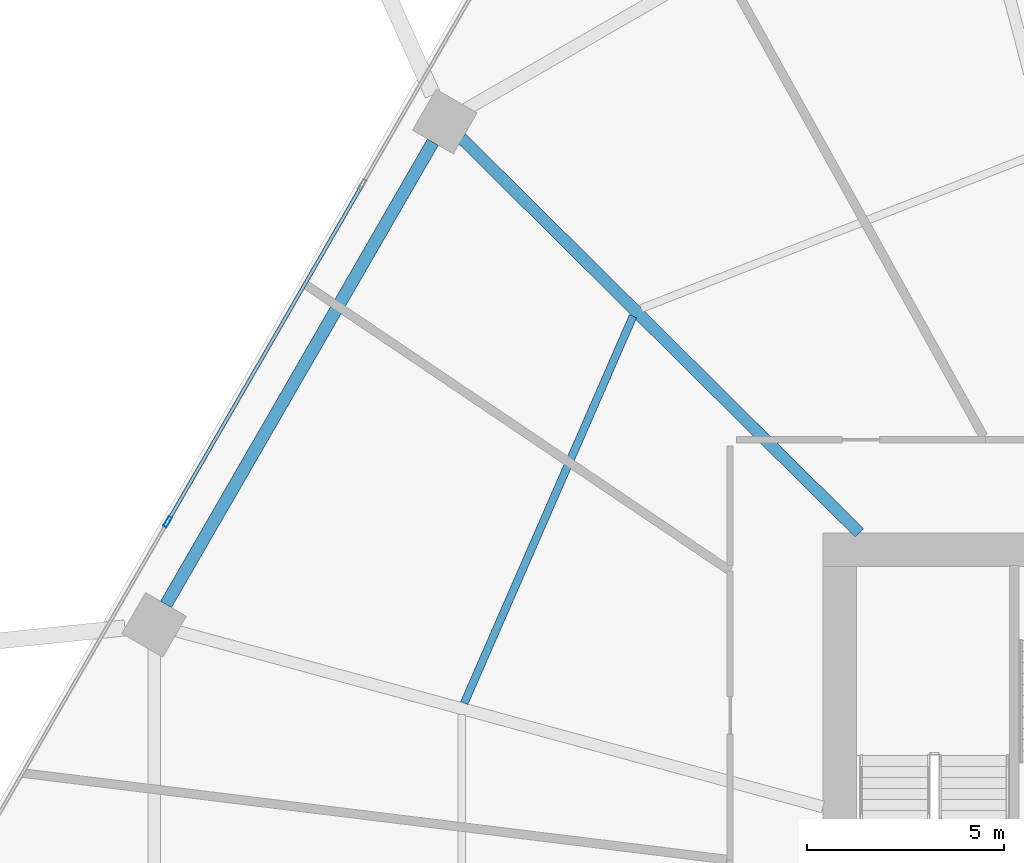
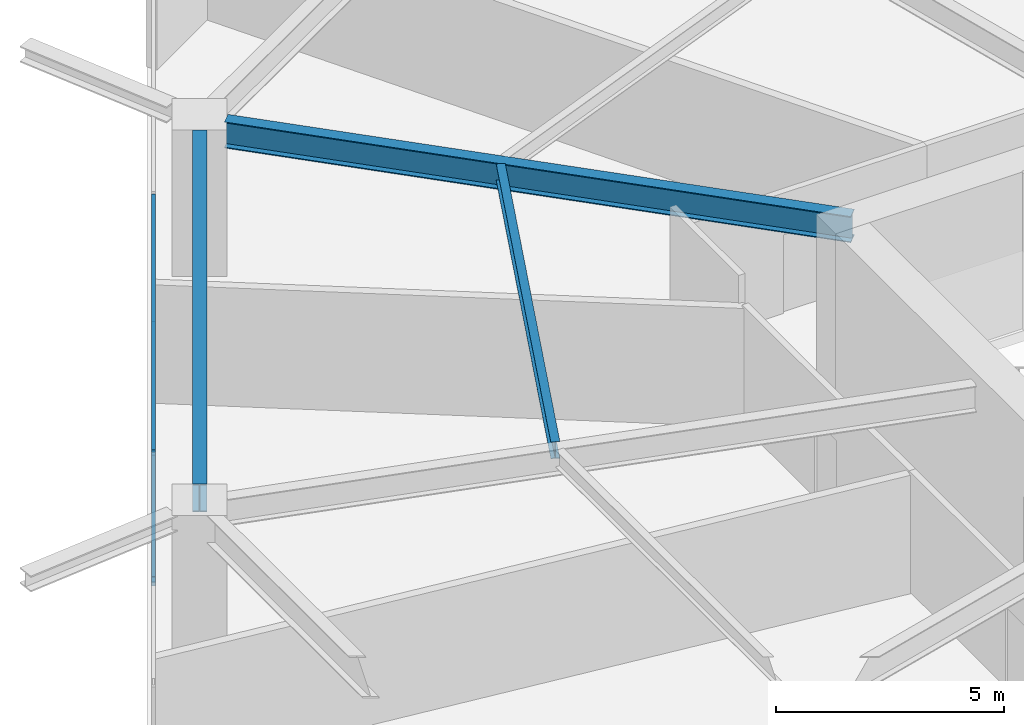
# One storey, part 13 of 25: 3 beams, 3 members, 1 element without a shape of its own.
"""IFC4 building model written with IfcOpenShell, lengths in metres."""

from ifc_helpers import new_model, si_unit, direction, frame, origin, origin_2d, place, context, subcontext, project, spatial, hollow_rectangle, i_section, extrude, material, material_profile, profile_set, type_object, element, aggregate, save


model = new_model("IFC4")

# Units and contexts
model_context = context("Model", 3, precision=1e-05, world=origin(), true_north=direction((0.0, 1.0)))
body_context = subcontext(model_context, "Body", "Model", "MODEL_VIEW")
ifc_project = project(units=[si_unit("LENGTHUNIT", "METRE"), si_unit("AREAUNIT", "SQUARE_METRE"), si_unit("VOLUMEUNIT", "CUBIC_METRE"), si_unit("PLANEANGLEUNIT", "RADIAN"), si_unit("MASSUNIT", "GRAM", prefix="KILO")], contexts=[model_context])

# Site, building, storey
site_placement = place(None, origin())
site = spatial("IfcSite", under=ifc_project, at=site_placement, CompositionType="ELEMENT")
building_placement = place(site_placement, origin())
building = spatial("IfcBuilding", under=site, at=building_placement, Name="Zuhravey Tower", CompositionType="ELEMENT")
storey_placement = place(building_placement, frame((0.0, 0.0, 20.39990234375)))
storey = spatial("IfcBuildingStorey", under=building, at=storey_placement, Name="L05", CompositionType="ELEMENT", Elevation=20.39990234375)

# Curtain wall, members
ifc_material_1 = material(Name="Thermally broken anodised aluminium", Category="aluminium")
curtain_wall_type = type_object("IfcCurtainWallType", Name="School Low-E Unitised Curtain Wall CW1", PredefinedType="NOTDEFINED", material=ifc_material_1)
curtain_wall_placement = place(storey_placement, origin())
curtain_wall = element("IfcCurtainWall", 1, at=curtain_wall_placement, inside=storey, type_object=curtain_wall_type, Name="L05 CW1 CW-L05-F3-1", PredefinedType="NOTDEFINED")
ifc_material_2 = material(Name="Anodised aluminium", Category="aluminium")
ifc_material_profile_1 = material_profile(ifc_material_2, hollow_rectangle(XDim=0.090087890625, YDim=0.284912109375, WallThickness=0.0048828125, at=origin_2d()), Name="ALU-RHS-90x285x5")
ifc_profile_set_1 = profile_set([ifc_material_profile_1], Name="Anodised aluminium")
member_type_1 = type_object("IfcMemberType", Name="Curtain-Wall Mullion 90x180", PredefinedType="MULLION", material=ifc_profile_set_1)
member_1_placement = place(storey_placement, frame((8.45458984375, 42.20703125, 0.0), z_axis=(0.0, 0.0, 1.0), x_axis=(-0.86602552265, 0.499999794119, 0.0)))
member_1 = element("IfcMember", 2, at=member_1_placement, type_object=member_type_1, Name="CW1 mullion 2", PredefinedType="MULLION", context=body_context, shape_type="SweptSolid", body=[
    extrude(hollow_rectangle(XDim=0.090087890625, YDim=0.284912109375, WallThickness=0.0048828125, at=origin_2d()), origin(), (0.0, 0.0, 1.0), 3.4921875),
])
ifc_material_profile_2 = material_profile(ifc_material_2, hollow_rectangle(XDim=0.090087890625, YDim=0.14990234375, WallThickness=0.0048828125, at=origin_2d()), Name="ALU-RHS-90x150x5")
ifc_profile_set_2 = profile_set([ifc_material_profile_2], Name="Anodised aluminium")
member_type_2 = type_object("IfcMemberType", Name="Curtain-Wall Transom 90x150", PredefinedType="USERDEFINED", material=ifc_profile_set_2)
member_2_placement = place(storey_placement, frame((8.47705078125, 42.245849609375, 0.045166015625), z_axis=(0.499990498062, 0.866030889661, 0.0), x_axis=(-0.866030889661, 0.499990498062, 0.0)))
member_2 = element("IfcMember", 3, at=member_2_placement, type_object=member_type_2, Name="CW1 transom 2.1", ObjectType="TRANSOM", PredefinedType="USERDEFINED", context=body_context, shape_type="SweptSolid", body=[
    extrude(hollow_rectangle(XDim=0.090087890625, YDim=0.14990234375, WallThickness=0.0048828125, at=origin_2d()), origin(), (0.0, 0.0, 1.0), 9.776611328125),
])
member_3_placement = place(storey_placement, frame((8.47705078125, 42.245849609375, 3.447021484375), z_axis=(0.499990498062, 0.866030889661, 0.0), x_axis=(-0.866030889661, 0.499990498062, 0.0)))
member_3 = element("IfcMember", 4, at=member_3_placement, type_object=member_type_2, Name="CW1 transom 2.2", ObjectType="TRANSOM", PredefinedType="USERDEFINED", context=body_context, shape_type="SweptSolid", body=[
    extrude(hollow_rectangle(XDim=0.090087890625, YDim=0.14990234375, WallThickness=0.0048828125, at=origin_2d()), origin(), (0.0, 0.0, 1.0), 9.776611328125),
])
aggregate(curtain_wall, [member_1, member_2, member_3])

# Beams
ifc_material_3 = material(Name="Steel SM355", Category="steel")
ifc_material_profile_3 = material_profile(ifc_material_3, i_section(OverallWidth=0.320068359375, OverallDepth=0.75, WebThickness=0.013916015625, FlangeThickness=0.02490234375, at=origin_2d()), Name="H-750x320x14x25")
ifc_profile_set_3 = profile_set([ifc_material_profile_3], Name="Steel SM355")
beam_type_1 = type_object("IfcBeamType", Name="Perimeter Ring Beam H750x320", PredefinedType="BEAM", material=ifc_profile_set_3)
beam_1_placement = place(storey_placement, frame((15.179443359375, 51.834716796875, 3.545166015625), z_axis=(-0.499999877243, -0.866025474658, 0.0), x_axis=(0.866025474658, -0.499999877243, 0.0)))
element("IfcBeam", 5, at=beam_1_placement, inside=storey, type_object=beam_type_1, Name="L05 PB1 BM-L05-PB-05", PredefinedType="BEAM", context=body_context, shape_type="SweptSolid", body=[
    extrude(i_section(OverallWidth=0.320068359375, OverallDepth=0.75, WebThickness=0.013916015625, FlangeThickness=0.02490234375, at=origin_2d()), origin(), (0.0, 0.0, 1.0), 13.5341796875),
])
ifc_material_profile_4 = material_profile(ifc_material_3, i_section(OverallWidth=0.300048828125, OverallDepth=0.699951171875, WebThickness=0.012939453125, FlangeThickness=0.02392578125, at=origin_2d()), Name="H-700x300x13x24")
ifc_profile_set_4 = profile_set([ifc_material_profile_4], Name="Steel SM355")
beam_type_2 = type_object("IfcBeamType", Name="Radial Primary Girder H700x300", PredefinedType="BEAM", material=ifc_profile_set_4)
beam_2_placement = place(storey_placement, frame((25.992919921875, 41.927978515625, 3.570068359375), z_axis=(-0.709902823282, 0.704299639, 0.0), x_axis=(-0.704299639, -0.709902823282, 0.0)))
element("IfcBeam", 6, at=beam_2_placement, inside=storey, type_object=beam_type_2, Name="L05 RG1 BM-L05-RAD-05", PredefinedType="BEAM", context=body_context, shape_type="SweptSolid", body=[
    extrude(i_section(OverallWidth=0.300048828125, OverallDepth=0.699951171875, WebThickness=0.012939453125, FlangeThickness=0.02392578125, at=origin_2d()), origin(), (0.0, 0.0, 1.0), 14.204345703125),
])
ifc_material_profile_5 = material_profile(ifc_material_3, i_section(OverallWidth=0.199951171875, OverallDepth=0.449951171875, WebThickness=0.009033203125, FlangeThickness=0.013916015625, at=origin_2d()), Name="H-450x200x9x14")
ifc_profile_set_5 = profile_set([ifc_material_profile_5], Name="Steel SM355")
beam_type_3 = type_object("IfcBeamType", Name="Secondary Floor Joist H450x200", PredefinedType="JOIST", material=ifc_profile_set_5)
beam_3_placement = place(storey_placement, frame((20.2548828125, 47.41845703125, 3.695068359375), z_axis=(-0.399923551578, -0.916548500022, 0.0), x_axis=(0.916548500022, -0.399923551578, 0.0)))
element("IfcBeam", 7, at=beam_3_placement, inside=storey, type_object=beam_type_3, Name="L05 SJ1 BM-L05-SJ-05-1", PredefinedType="JOIST", context=body_context, shape_type="SweptSolid", body=[
    extrude(i_section(OverallWidth=0.199951171875, OverallDepth=0.449951171875, WebThickness=0.009033203125, FlangeThickness=0.013916015625, at=origin_2d()), origin(), (0.0, 0.0, 1.0), 10.70263671875),
])

save(model, "model.ifc")
